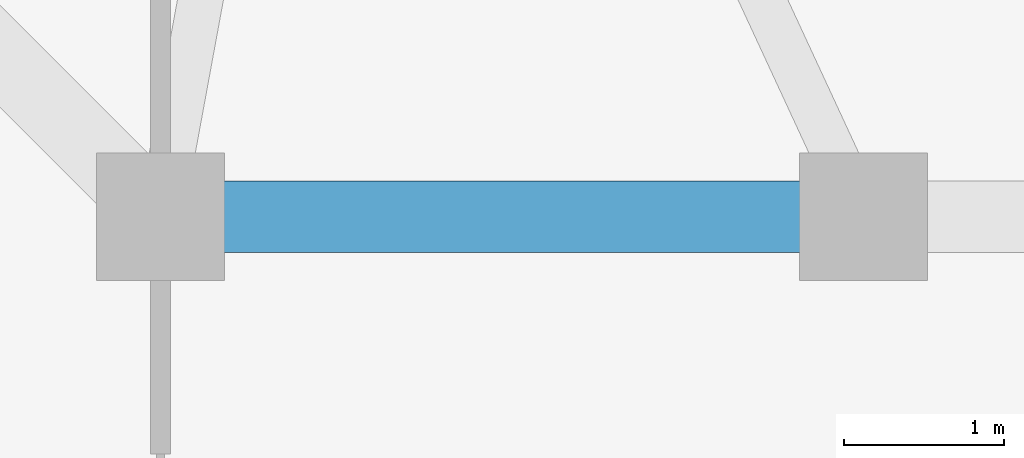
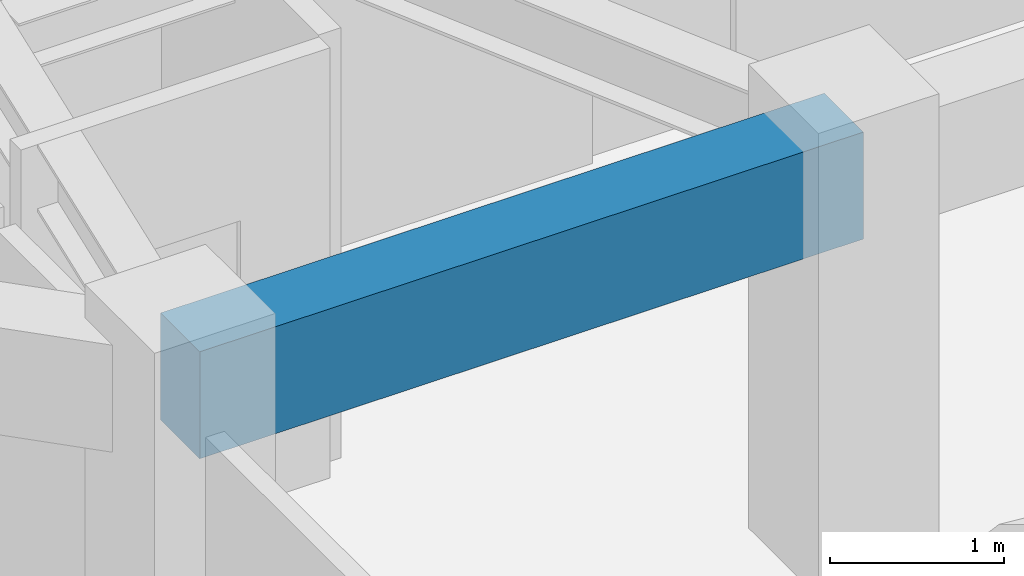
# One storey, part 5 of 30: 1 beam.
"""IFC4 building model written with IfcOpenShell, lengths in metres."""

from ifc_helpers import new_model, si_unit, direction, frame, origin, origin_2d, place, context, subcontext, project, spatial, rectangle, extrude, material, material_profile, profile_set, type_object, element, save


model = new_model("IFC4")

# Units and contexts
model_context = context("Model", 3, precision=1e-05, world=origin(), true_north=direction((0.0, 1.0)))
body_context = subcontext(model_context, "Body", "Model", "MODEL_VIEW")
ifc_project = project(units=[si_unit("LENGTHUNIT", "METRE"), si_unit("AREAUNIT", "SQUARE_METRE"), si_unit("VOLUMEUNIT", "CUBIC_METRE"), si_unit("PLANEANGLEUNIT", "RADIAN"), si_unit("MASSUNIT", "GRAM", prefix="KILO")], contexts=[model_context])

# Site, building, storey
site_placement = place(None, origin())
site = spatial("IfcSite", under=ifc_project, at=site_placement, CompositionType="ELEMENT")
building_placement = place(site_placement, origin())
building = spatial("IfcBuilding", under=site, at=building_placement, Name="Veraguas Prism Commons", CompositionType="ELEMENT")
storey_placement = place(building_placement, frame((0.0, 0.0, 230.050048828125)))
storey = spatial("IfcBuildingStorey", under=building, at=storey_placement, Name="L65", CompositionType="ELEMENT", Elevation=230.050048828125)

# Beam
ifc_material = material(Name="Concrete C50/60", Category="concrete")
ifc_material_profile = material_profile(ifc_material, rectangle(XDim=0.449951171875, YDim=0.75, at=origin_2d()), Name="RC450X750")
ifc_profile_set = profile_set([ifc_material_profile], Name="Concrete C50/60")
beam_type = type_object("IfcBeamType", Name="Perimeter Spandrel Upper RC 450x750", PredefinedType="SPANDREL", material=ifc_profile_set)
beam_placement = place(storey_placement, frame((19.60009765625, 10.199951171875, 2.639892578125), z_axis=(1.0, 0.0, 0.0), x_axis=(0.0, 1.0, 0.0)))
element("IfcBeam", 1, at=beam_placement, inside=storey, type_object=beam_type, Name="Perimeter Spandrel Beam L65-SP10", PredefinedType="SPANDREL", context=body_context, shape_type="SweptSolid", body=[
    extrude(rectangle(XDim=0.449951171875, YDim=0.75, at=origin_2d()), origin(), (0.0, 0.0, 1.0), 4.39990234375),
])

save(model, "model.ifc")
